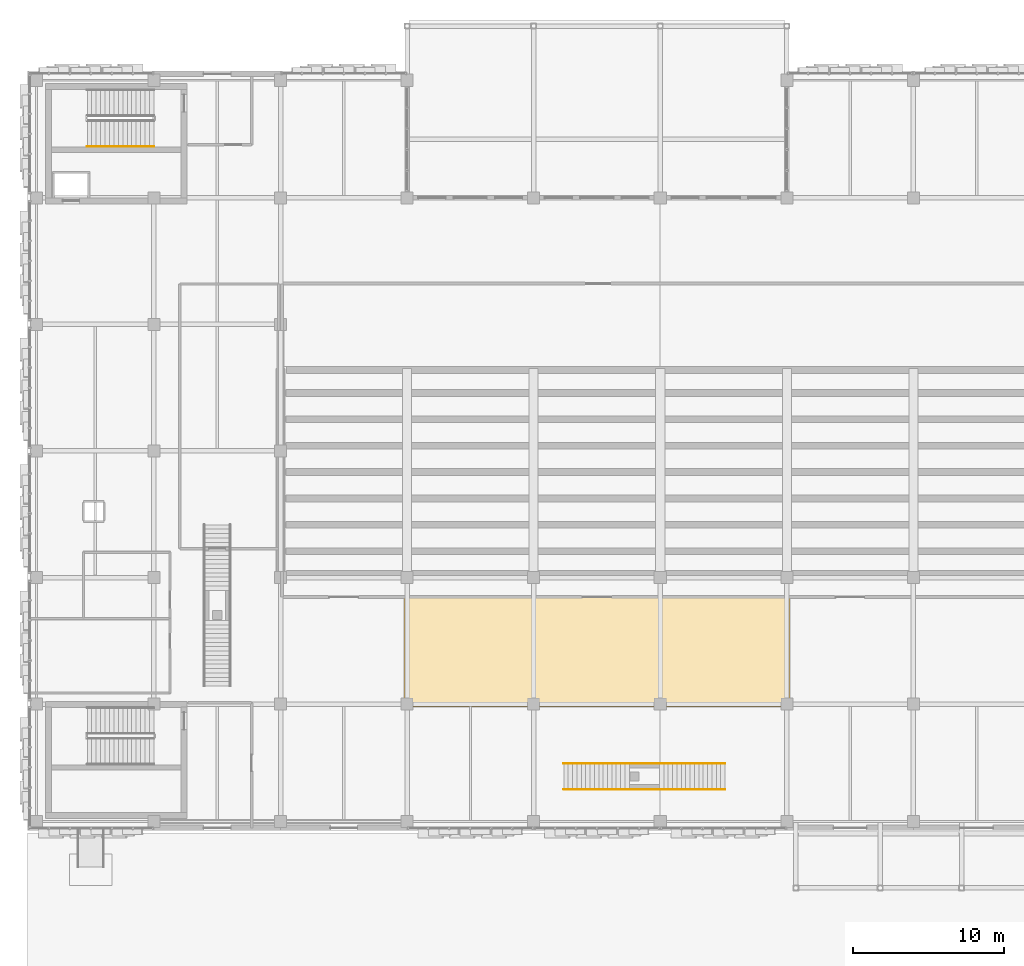
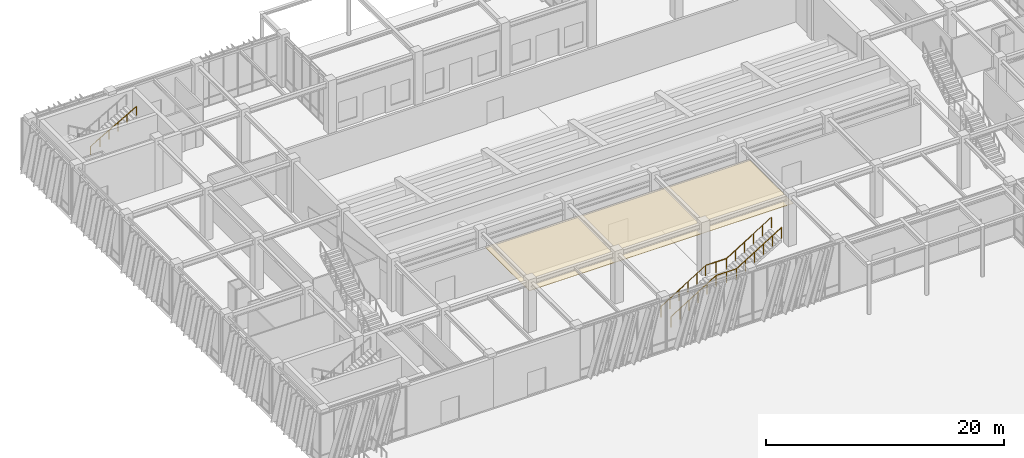
# One storey, part 112 of 122: 3 railings, 1 covering.
"""IFC4 building model written with IfcOpenShell, lengths in metres."""

from ifc_helpers import new_model, si_unit, direction, frame, origin, origin_2d, place, context, subcontext, project, spatial, polyline, circle, outline, extrude, material, layer, layer_set, type_object, element, save


model = new_model("IFC4")

# Units and contexts
model_context = context("Model", 3, precision=1e-05, world=origin(), true_north=direction((0.0, 1.0)))
body_context = subcontext(model_context, "Body", "Model", "MODEL_VIEW")
ifc_project = project(units=[si_unit("LENGTHUNIT", "METRE"), si_unit("AREAUNIT", "SQUARE_METRE"), si_unit("VOLUMEUNIT", "CUBIC_METRE"), si_unit("PLANEANGLEUNIT", "RADIAN"), si_unit("MASSUNIT", "GRAM", prefix="KILO")], contexts=[model_context])

# Site, building, storey
site_placement = place(None, origin())
site = spatial("IfcSite", under=ifc_project, at=site_placement, CompositionType="ELEMENT")
building_placement = place(site_placement, origin())
building = spatial("IfcBuilding", under=site, at=building_placement, Name="Zayran Congress Hotel", CompositionType="ELEMENT")
storey_placement = place(building_placement, origin())
storey = spatial("IfcBuildingStorey", under=building, at=storey_placement, Name="L00", CompositionType="ELEMENT", Elevation=0.0)

# Railings
ifc_material_1 = material(Name="Painted steel balustrade", Category="steel")
railing_type_1 = type_object("IfcRailingType", Name="TP-GRD-INT", PredefinedType="GUARDRAIL", material=ifc_material_1)
railing_1_placement = place(storey_placement, frame((44.0, 70.340087890625, 0.0)))
element("IfcRailing", 1, at=railing_1_placement, inside=storey, type_object=railing_type_1, Name="GRD-VOM-03-R", PredefinedType="GUARDRAIL", context=body_context, shape_type="SweptSolid", body=[
    extrude(circle(Radius=0.02392578125, at=origin_2d()), frame((0.0, 0.0, 1.076171875), z_axis=(0.849649743971, 0.0, 0.527347430608), x_axis=(0.0, 1.0, 0.0)), (0.0, 0.0, 1.0), 5.119873046875),
    extrude(circle(Radius=0.02392578125, at=origin_2d()), frame((4.35009765625, 0.0, 3.77587890625), z_axis=(1.0, 0.0, 0.0), x_axis=(0.0, 1.0, 0.0)), (0.0, 0.0, 1.0), 2.0),
    extrude(circle(Radius=0.02392578125, at=origin_2d()), frame((6.35009765625, 0.0, 3.77587890625), z_axis=(0.849636482215, 0.0, 0.527368797038), x_axis=(0.0, 1.0, 0.0)), (0.0, 0.0, 1.0), 5.11962890625),
    extrude(circle(Radius=0.02099609375, at=origin_2d()), origin(), (0.0, 0.0, 1.0), 1.052001953125),
    extrude(circle(Radius=0.02099609375, at=origin_2d()), frame((0.8701171875, 0.0, 0.5400390625)), (0.0, 0.0, 1.0), 1.052001953125),
    extrude(circle(Radius=0.02099609375, at=origin_2d()), frame((1.739990234375, 0.0, 1.080078125)), (0.0, 0.0, 1.0), 1.052001953125),
    extrude(circle(Radius=0.02099609375, at=origin_2d()), frame((2.610107421875, 0.0, 1.619873046875)), (0.0, 0.0, 1.0), 1.052001953125),
    extrude(circle(Radius=0.02099609375, at=origin_2d()), frame((3.47998046875, 0.0, 2.159912109375)), (0.0, 0.0, 1.0), 1.052001953125),
    extrude(circle(Radius=0.02099609375, at=origin_2d()), frame((4.35009765625, 0.0, 2.699951171875)), (0.0, 0.0, 1.0), 1.052001953125),
    extrude(circle(Radius=0.02099609375, at=origin_2d()), frame((5.35009765625, 0.0, 2.699951171875)), (0.0, 0.0, 1.0), 1.052001953125),
    extrude(circle(Radius=0.02099609375, at=origin_2d()), frame((6.35009765625, 0.0, 2.699951171875)), (0.0, 0.0, 1.0), 1.052001953125),
    extrude(circle(Radius=0.02099609375, at=origin_2d()), frame((7.219970703125, 0.0, 3.239990234375)), (0.0, 0.0, 1.0), 1.052001953125),
    extrude(circle(Radius=0.02099609375, at=origin_2d()), frame((8.090087890625, 0.0, 3.780029296875)), (0.0, 0.0, 1.0), 1.052001953125),
    extrude(circle(Radius=0.02099609375, at=origin_2d()), frame((8.9599609375, 0.0, 4.31982421875)), (0.0, 0.0, 1.0), 1.052001953125),
    extrude(circle(Radius=0.02099609375, at=origin_2d()), frame((9.830078125, 0.0, 4.85986328125)), (0.0, 0.0, 1.0), 1.052001953125),
    extrude(circle(Radius=0.02099609375, at=origin_2d()), frame((10.699951171875, 0.0, 5.39990234375)), (0.0, 0.0, 1.0), 1.052001953125),
])
railing_2_placement = place(storey_placement, frame((44.0, 72.06005859375, 0.0)))
element("IfcRailing", 2, at=railing_2_placement, inside=storey, type_object=railing_type_1, Name="GRD-VOM-03-L", PredefinedType="GUARDRAIL", context=body_context, shape_type="SweptSolid", body=[
    extrude(circle(Radius=0.02392578125, at=origin_2d()), frame((0.0, 0.0, 1.076171875), z_axis=(0.849649743971, 0.0, 0.527347430608), x_axis=(0.0, 1.0, 0.0)), (0.0, 0.0, 1.0), 5.119873046875),
    extrude(circle(Radius=0.02392578125, at=origin_2d()), frame((4.35009765625, 0.0, 3.77587890625), z_axis=(1.0, 0.0, 0.0), x_axis=(0.0, 1.0, 0.0)), (0.0, 0.0, 1.0), 2.0),
    extrude(circle(Radius=0.02392578125, at=origin_2d()), frame((6.35009765625, 0.0, 3.77587890625), z_axis=(0.849636482215, 0.0, 0.527368797038), x_axis=(0.0, 1.0, 0.0)), (0.0, 0.0, 1.0), 5.11962890625),
    extrude(circle(Radius=0.02099609375, at=origin_2d()), origin(), (0.0, 0.0, 1.0), 1.052001953125),
    extrude(circle(Radius=0.02099609375, at=origin_2d()), frame((0.8701171875, 0.0, 0.5400390625)), (0.0, 0.0, 1.0), 1.052001953125),
    extrude(circle(Radius=0.02099609375, at=origin_2d()), frame((1.739990234375, 0.0, 1.080078125)), (0.0, 0.0, 1.0), 1.052001953125),
    extrude(circle(Radius=0.02099609375, at=origin_2d()), frame((2.610107421875, 0.0, 1.619873046875)), (0.0, 0.0, 1.0), 1.052001953125),
    extrude(circle(Radius=0.02099609375, at=origin_2d()), frame((3.47998046875, 0.0, 2.159912109375)), (0.0, 0.0, 1.0), 1.052001953125),
    extrude(circle(Radius=0.02099609375, at=origin_2d()), frame((4.35009765625, 0.0, 2.699951171875)), (0.0, 0.0, 1.0), 1.052001953125),
    extrude(circle(Radius=0.02099609375, at=origin_2d()), frame((5.35009765625, 0.0, 2.699951171875)), (0.0, 0.0, 1.0), 1.052001953125),
    extrude(circle(Radius=0.02099609375, at=origin_2d()), frame((6.35009765625, 0.0, 2.699951171875)), (0.0, 0.0, 1.0), 1.052001953125),
    extrude(circle(Radius=0.02099609375, at=origin_2d()), frame((7.219970703125, 0.0, 3.239990234375)), (0.0, 0.0, 1.0), 1.052001953125),
    extrude(circle(Radius=0.02099609375, at=origin_2d()), frame((8.090087890625, 0.0, 3.780029296875)), (0.0, 0.0, 1.0), 1.052001953125),
    extrude(circle(Radius=0.02099609375, at=origin_2d()), frame((8.9599609375, 0.0, 4.31982421875)), (0.0, 0.0, 1.0), 1.052001953125),
    extrude(circle(Radius=0.02099609375, at=origin_2d()), frame((9.830078125, 0.0, 4.85986328125)), (0.0, 0.0, 1.0), 1.052001953125),
    extrude(circle(Radius=0.02099609375, at=origin_2d()), frame((10.699951171875, 0.0, 5.39990234375)), (0.0, 0.0, 1.0), 1.052001953125),
])
ifc_material_2 = material(Name="Brushed stainless steel handrail", Category="steel")
railing_type_2 = type_object("IfcRailingType", Name="TP-HND-STR", PredefinedType="HANDRAIL", material=ifc_material_2)
railing_3_placement = place(storey_placement, frame((12.375, 113.010009765625, 2.86865234375)))
element("IfcRailing", 3, at=railing_3_placement, inside=storey, type_object=railing_type_2, Name="L00 ST-03 stair handrail 2", PredefinedType="HANDRAIL", context=body_context, shape_type="SweptSolid", body=[
    extrude(circle(Radius=0.02392578125, at=origin_2d()), frame((0.0, 0.0, 0.8759765625), z_axis=(0.868019072493, 0.0, 0.49653085482), x_axis=(0.0, 1.0, 0.0)), (0.0, 0.0, 1.0), 5.097900390625),
    extrude(circle(Radius=0.02099609375, at=origin_2d()), origin(), (0.0, 0.0, 1.0), 0.851806640625),
    extrude(circle(Radius=0.02099609375, at=origin_2d()), frame((0.885009765625, 0.0, 0.50634765625)), (0.0, 0.0, 1.0), 0.851806640625),
    extrude(circle(Radius=0.02099609375, at=origin_2d()), frame((1.77001953125, 0.0, 1.012451171875)), (0.0, 0.0, 1.0), 0.851806640625),
    extrude(circle(Radius=0.02099609375, at=origin_2d()), frame((2.655029296875, 0.0, 1.518798828125)), (0.0, 0.0, 1.0), 0.851806640625),
    extrude(circle(Radius=0.02099609375, at=origin_2d()), frame((3.5400390625, 0.0, 2.02490234375)), (0.0, 0.0, 1.0), 0.851806640625),
    extrude(circle(Radius=0.02099609375, at=origin_2d()), frame((4.425048828125, 0.0, 2.53125)), (0.0, 0.0, 1.0), 0.851806640625),
])

# Covering
ifc_material_3 = material(Name="Perforated acoustic gypsum ceiling board", Category="gypsum")
ifc_layer = layer(ifc_material_3, 0.044921875)
ifc_layer_set = layer_set([ifc_layer], Name="Perforated acoustic gypsum ceiling board")
covering_type = type_object("IfcCoveringType", Name="TP-CLG-AC1", PredefinedType="CEILING", material=ifc_layer_set)
covering_placement = place(storey_placement, frame((0.0, 0.0, 4.10009765625)))
element("IfcCovering", 4, at=covering_placement, inside=storey, type_object=covering_type, Name="Acoustic Suspended Ceiling L00-01", PredefinedType="CEILING", context=body_context, shape_type="SweptSolid", body=[
    extrude(outline(polyline([(33.39990234375, 75.800048828125), (59.0, 75.800048828125), (59.0, 83.199951171875), (33.39990234375, 83.199951171875), (33.39990234375, 75.800048828125)])), origin(), (0.0, 0.0, 1.0), 0.044921875),
])

save(model, "model.ifc")
